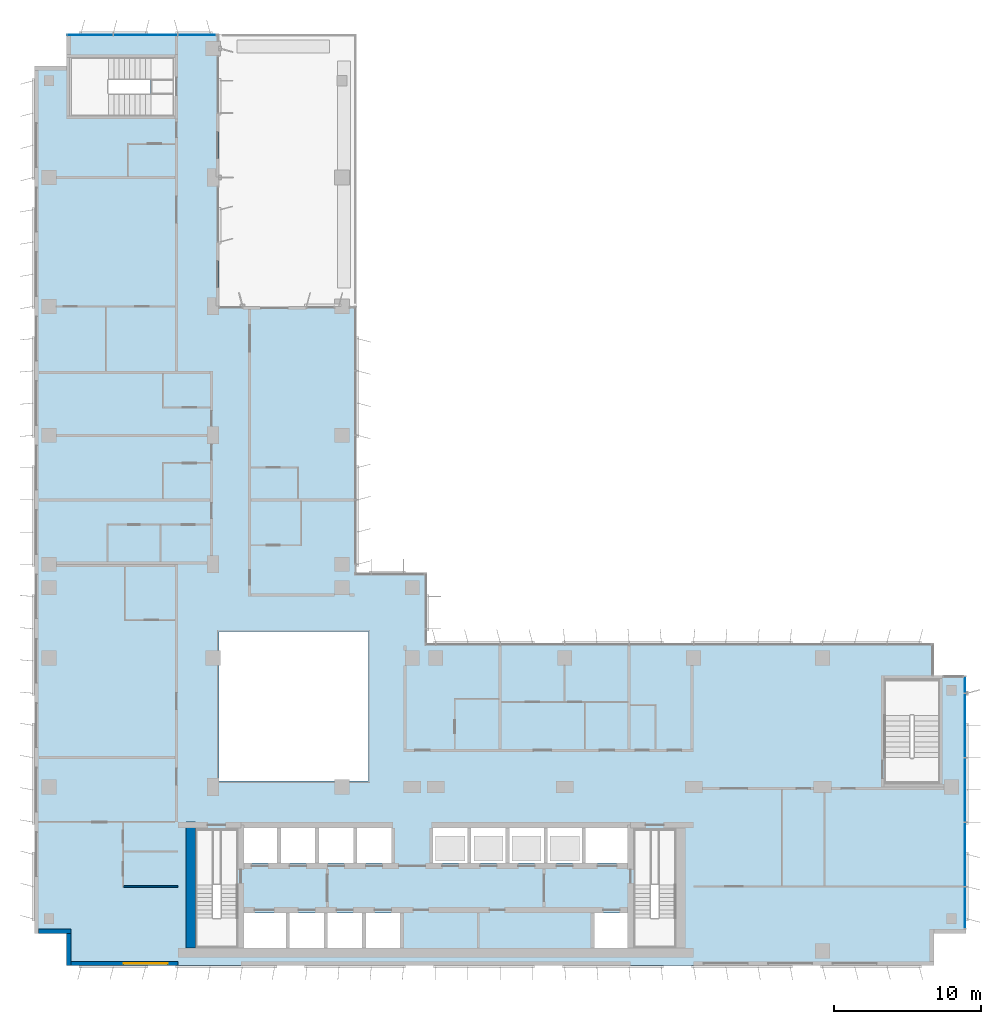
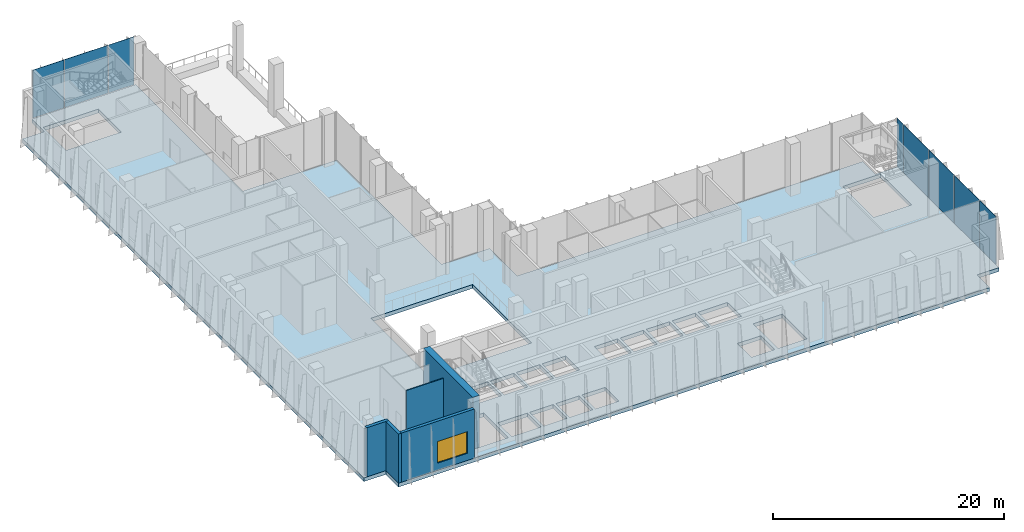
# One storey, part 12 of 24: 8 plates, 5 walls, 1 slab, 1 window, 1 opening, 2 elements without a shape of their own.
"""IFC4 building model written with IfcOpenShell, lengths in metres."""

import ifcopenshell
import ifcopenshell.guid

model = None  # the IFC model being written
_history = None  # IfcOwnerHistory: only IFC2X3 demands one
_inside = {}  # id of a spatial element -> (the spatial element, [elements in it])
_under = {}  # id of a project, library or spatial element -> (it, [spatial elements below it])
_declared = {}  # id of a project -> (the project, [libraries it declares])
_typed = {}  # id of a type object -> (the type object, [elements of that type])
_made_of = {}  # id of a material, layer set ... -> (it, [elements and type objects made of it])


def new_model(schema):
    """Start an empty IFC model of exactly this schema.

    Asked for "IFC4X3", IfcOpenShell would pick the latest addendum, in which some entities
    have other attributes; the version numbers below select the first issue.
    IFC2X3 requires an IfcOwnerHistory on every rooted entity: one is made here for all.
    """
    global model, _history
    if schema == "IFC4X3":
        model = ifcopenshell.file(schema_version=(4, 3, 0, 0))
    else:
        model = ifcopenshell.file(schema=schema)
    _inside.clear()
    _under.clear()
    _declared.clear()
    _typed.clear()
    _made_of.clear()
    _history = None
    if model.schema == "IFC2X3":
        org = make("IfcOrganization", Name="unknown")
        user = make(
            "IfcPersonAndOrganization",
            ThePerson=make("IfcPerson", FamilyName="unknown"),
            TheOrganization=org,
        )
        app = make(
            "IfcApplication",
            ApplicationDeveloper=org,
            Version="unknown",
            ApplicationFullName="unknown",
            ApplicationIdentifier="unknown",
        )
        _history = make(
            "IfcOwnerHistory",
            OwningUser=user,
            OwningApplication=app,
            ChangeAction="ADDED",
            CreationDate=0,
        )
    return model


def make(cls, **values):
    """One entity of the class cls with the attributes given. An attribute that is None is left unset."""
    return model.create_entity(
        cls, **{name: value for name, value in values.items() if value is not None}
    )


def rooted(cls, **values):
    """An entity with a GlobalId (a new one), such as an element, a storey or a relation."""
    return make(cls, GlobalId=ifcopenshell.guid.new(), OwnerHistory=_history, **values)


def si_unit(unit_type, name, prefix=None):
    """IfcSIUnit, for example si_unit("LENGTHUNIT", "METRE", prefix="MILLI")."""
    return make("IfcSIUnit", UnitType=unit_type, Prefix=prefix, Name=name)


def assignment(units):
    """IfcUnitAssignment: the units of a project."""
    return None if units is None else make("IfcUnitAssignment", Units=units)


def point(xyz):
    """IfcCartesianPoint."""
    return None if xyz is None else make("IfcCartesianPoint", Coordinates=xyz)


def direction(xyz):
    """IfcDirection."""
    return None if xyz is None else make("IfcDirection", DirectionRatios=xyz)


def frame(location, z_axis=None, x_axis=None):
    """IfcAxis2Placement3D, a coordinate frame: its origin and axes. An axis left out is left unset."""
    return make(
        "IfcAxis2Placement3D",
        Location=point(location),
        Axis=direction(z_axis),
        RefDirection=direction(x_axis),
    )


def frame_2d(location, x_axis=None):
    """IfcAxis2Placement2D, a coordinate frame in the plane: its origin and x axis."""
    return make(
        "IfcAxis2Placement2D", Location=point(location), RefDirection=direction(x_axis)
    )


def origin():
    """The frame at (0, 0, 0) with its axes left unset."""
    return frame((0.0, 0.0, 0.0))


def origin_2d():
    """The frame at (0, 0) in the plane with its x axis left unset."""
    return frame_2d((0.0, 0.0))


def place(relative_to, where):
    """IfcLocalPlacement: puts the frame where relative to a parent placement (None: the world)."""
    return make(
        "IfcLocalPlacement", PlacementRelTo=relative_to, RelativePlacement=where
    )


def context(
    kind, dimensions, precision=None, world=None, true_north=None, identifier=None
):
    """IfcGeometricRepresentationContext, for example the 3D "Model" context."""
    return make(
        "IfcGeometricRepresentationContext",
        ContextIdentifier=identifier,
        ContextType=kind,
        CoordinateSpaceDimension=dimensions,
        Precision=precision,
        WorldCoordinateSystem=world,
        TrueNorth=true_north,
    )


def subcontext(parent, identifier, kind, view, scale=None):
    """IfcGeometricRepresentationSubContext, for example "Body" below "Model"."""
    return make(
        "IfcGeometricRepresentationSubContext",
        ContextIdentifier=identifier,
        ContextType=kind,
        ParentContext=parent,
        TargetScale=scale,
        TargetView=view,
    )


def project(units=None, contexts=None):
    """IfcProject with its units and contexts."""
    return rooted(
        "IfcProject",
        Name="project",
        RepresentationContexts=contexts,
        UnitsInContext=assignment(units),
    )


def spatial(cls, under=None, at=None, **own):
    """A site, building, storey or space (cls), placed at a placement, below another one or the project."""
    s = rooted(cls, ObjectPlacement=at, **own)
    if under is not None:
        _under.setdefault(under.id(), (under, []))[1].append(s)
    return s


def polyline(points):
    """IfcPolyline through the points."""
    return make("IfcPolyline", Points=[point(p) for p in points])


def profile(cls, at=None, kind="AREA", **sizes):
    """A parametric profile (cls). Its sizes go by their IFC names, for example OverallWidth=200.0."""
    return make(cls, ProfileType=kind, Position=at, **sizes)


def rectangle(**sizes):
    """IfcRectangleProfileDef."""
    return profile("IfcRectangleProfileDef", **sizes)


def outline(outer, holes=None, kind="AREA"):
    """IfcArbitraryClosedProfileDef: a profile drawn as a closed curve; with holes, ...WithVoids."""
    if holes is None:
        return make("IfcArbitraryClosedProfileDef", ProfileType=kind, OuterCurve=outer)
    return make(
        "IfcArbitraryProfileDefWithVoids",
        ProfileType=kind,
        OuterCurve=outer,
        InnerCurves=holes,
    )


def extrude(swept, where, along, depth):
    """IfcExtrudedAreaSolid: the profile swept, set in the frame where, extruded along a direction by depth."""
    return make(
        "IfcExtrudedAreaSolid",
        SweptArea=swept,
        Position=where,
        ExtrudedDirection=direction(along),
        Depth=depth,
    )


def shape(context_of_items, identifier, shape_type, items):
    """IfcShapeRepresentation: the items that make up one representation, for example the "Body"."""
    return make(
        "IfcShapeRepresentation",
        ContextOfItems=context_of_items,
        RepresentationIdentifier=identifier,
        RepresentationType=shape_type,
        Items=items,
    )


def source(mapping_origin, context_of_items, identifier, shape_type, items):
    """IfcRepresentationMap: a shape defined once, which mapped items show again and again."""
    return make(
        "IfcRepresentationMap",
        MappingOrigin=mapping_origin,
        MappedRepresentation=shape(context_of_items, identifier, shape_type, items),
    )


def transform(
    local_origin,
    x_axis=None,
    y_axis=None,
    z_axis=None,
    scale=None,
    scale2=None,
    scale3=None,
    uniform=True,
):
    """IfcCartesianTransformationOperator3D, or its non-uniform kind. x_axis, y_axis, z_axis: its Axis1, 2, 3."""
    if uniform:
        return make(
            "IfcCartesianTransformationOperator3D",
            Axis1=direction(x_axis),
            Axis2=direction(y_axis),
            LocalOrigin=point(local_origin),
            Scale=scale,
            Axis3=direction(z_axis),
        )
    return make(
        "IfcCartesianTransformationOperator3DnonUniform",
        Axis1=direction(x_axis),
        Axis2=direction(y_axis),
        LocalOrigin=point(local_origin),
        Scale=scale,
        Axis3=direction(z_axis),
        Scale2=scale2,
        Scale3=scale3,
    )


def mapped(mapping_source, mapping_target):
    """IfcMappedItem: shows the shape of a source again, moved by a transform."""
    return make(
        "IfcMappedItem", MappingSource=mapping_source, MappingTarget=mapping_target
    )


def material(Name=None, Category=None):
    """IfcMaterial."""
    return make("IfcMaterial", Name=Name, Category=Category)


def layer(
    of_material, thickness, ventilated=None, Name=None, Category=None, Priority=None
):
    """IfcMaterialLayer: one layer of a wall or slab, of a material (None: an air gap)."""
    return make(
        "IfcMaterialLayer",
        Material=of_material,
        LayerThickness=thickness,
        IsVentilated=ventilated,
        Name=Name,
        Category=Category,
        Priority=Priority,
    )


def layer_set(layers, Name=None):
    """IfcMaterialLayerSet."""
    return make("IfcMaterialLayerSet", MaterialLayers=layers, LayerSetName=Name)


def made_of(thing, what):
    """Note that an element or type object is made of a material, layer set ...; save() writes the relation."""
    if what is not None:
        _made_of.setdefault(what.id(), (what, []))[1].append(thing)
    return thing


def type_object(cls, material=None, **own):
    """A type object (cls), such as IfcWallType, which elements share."""
    return made_of(rooted(cls, **own), material)


def element(
    cls,
    number,
    at=None,
    inside=None,
    cuts=None,
    type_object=None,
    material=None,
    context=None,
    identifier="Body",
    shape_type=None,
    held_by="IfcProductDefinitionShape",
    body=None,
    shapes=None,
    **own,
):
    """One element of the class cls, such as IfcWall. Its Tag is "e" and its number.

    at: its placement. inside: the storey or other place that contains it. cuts: it is an
    opening in that element (IfcRelVoidsElement). A single representation is given by context,
    identifier, shape_type and body (its items); several are given by shapes. held_by: the class
    of the entity that holds the representations. save() writes the other relations.
    """
    e = rooted(cls, Tag="e%d" % number, ObjectPlacement=at, **own)
    if body is not None:
        shapes = [shape(context, identifier, shape_type, body)]
    if shapes is not None:
        e.Representation = make(held_by, Representations=shapes)
    if inside is not None:
        _inside.setdefault(inside.id(), (inside, []))[1].append(e)
    if cuts is not None:
        rooted(
            "IfcRelVoidsElement", RelatingBuildingElement=cuts, RelatedOpeningElement=e
        )
    if type_object is not None:
        _typed.setdefault(type_object.id(), (type_object, []))[1].append(e)
    return made_of(e, material)


def fill(opening, filler):
    """IfcRelFillsElement: the door or window that sits in an opening."""
    return rooted(
        "IfcRelFillsElement",
        RelatingOpeningElement=opening,
        RelatedBuildingElement=filler,
    )


def aggregate(whole, parts):
    """IfcRelAggregates: a whole, such as a stair, and the parts it consists of."""
    return rooted("IfcRelAggregates", RelatingObject=whole, RelatedObjects=parts)


def save(model, path):
    """Write the relations noted so far, then the file.

    IfcRelAggregates (storeys below a building ...), IfcRelContainedInSpatialStructure (elements
    in a storey), IfcRelDefinesByType, IfcRelAssociatesMaterial and IfcRelDeclares: one each for
    every whole, place, type object, material and project.
    """
    for whole, parts in _under.values():
        aggregate(whole, parts)
    for where, things in _inside.values():
        rooted(
            "IfcRelContainedInSpatialStructure",
            RelatedElements=things,
            RelatingStructure=where,
        )
    for kind, things in _typed.values():
        rooted("IfcRelDefinesByType", RelatedObjects=things, RelatingType=kind)
    for what, things in _made_of.values():
        rooted("IfcRelAssociatesMaterial", RelatedObjects=things, RelatingMaterial=what)
    for by, libraries in _declared.values():
        rooted("IfcRelDeclares", RelatingContext=by, RelatedDefinitions=libraries)
    model.write(path)


model = new_model("IFC4")

# Units and contexts
model_context = context("Model", 3, precision=1e-05, world=origin(), true_north=direction((0.0, 1.0)))
body_context = subcontext(model_context, "Body", "Model", "MODEL_VIEW")
ifc_project = project(units=[si_unit("LENGTHUNIT", "METRE"), si_unit("AREAUNIT", "SQUARE_METRE"), si_unit("VOLUMEUNIT", "CUBIC_METRE"), si_unit("PLANEANGLEUNIT", "RADIAN"), si_unit("MASSUNIT", "GRAM", prefix="KILO")], contexts=[model_context])

# Site, building, storey
site_placement = place(None, origin())
site = spatial("IfcSite", under=ifc_project, at=site_placement, CompositionType="ELEMENT")
building_placement = place(site_placement, origin())
building = spatial("IfcBuilding", under=site, at=building_placement, Name="Kemantara Hotel Tower", CompositionType="ELEMENT")
storey_placement = place(building_placement, frame((0.0, 0.0, 202.5)))
storey = spatial("IfcBuildingStorey", under=building, at=storey_placement, Name="L50", CompositionType="ELEMENT", Elevation=202.5)

# Slab
ifc_material_1 = material(Name="Concrete fc 40 MPa", Category="concrete")
ifc_layer_1 = layer(ifc_material_1, 0.39990234375)
ifc_layer_set_1 = layer_set([ifc_layer_1], Name="Concrete fc 40 MPa")
slab_type = type_object("IfcSlabType", Name="REINFORCED DECK SLAB 400", PredefinedType="FLOOR", material=ifc_layer_set_1)
slab_placement = place(storey_placement, frame((0.0, 0.0, -0.39990234375)))
element("IfcSlab", 1, at=slab_placement, inside=storey, type_object=slab_type, Name="FLOOR SLAB L50", PredefinedType="FLOOR", context=body_context, shape_type="SweptSolid", body=[
    extrude(outline(polyline([(26.800048828125, 26.800048828125), (22.0, 26.800048828125), (22.0, 45.0), (12.60009765625, 45.0), (12.60009765625, 63.60009765625), (2.199951171875, 63.60009765625), (2.199951171875, 61.39990234375), (0.0, 61.39990234375), (0.0, 2.199951171875), (2.199951171875, 2.199951171875), (2.199951171875, 0.0), (61.39990234375, 0.0), (61.39990234375, 2.199951171875), (63.60009765625, 2.199951171875), (63.60009765625, 19.800048828125), (61.39990234375, 19.800048828125), (61.39990234375, 22.0), (26.800048828125, 22.0), (26.800048828125, 26.800048828125)]), holes=[polyline([(17.175048828125, 1.199951171875), (14.22509765625, 1.199951171875), (14.22509765625, 3.60009765625), (17.175048828125, 3.60009765625), (17.175048828125, 1.199951171875)]), polyline([(19.77490234375, 1.199951171875), (17.425048828125, 1.199951171875), (17.425048828125, 3.60009765625), (19.77490234375, 3.60009765625), (19.77490234375, 1.199951171875)]), polyline([(22.375, 1.199951171875), (20.02490234375, 1.199951171875), (20.02490234375, 3.60009765625), (22.375, 3.60009765625), (22.375, 1.199951171875)]), polyline([(11.0, 1.199951171875), (11.0, 5.49951171875), (13.89990234375, 5.49951171875), (13.89990234375, 1.199951171875), (11.0, 1.199951171875)]), polyline([(16.574951171875, 7.0), (14.22509765625, 7.0), (14.22509765625, 9.39990234375), (16.574951171875, 9.39990234375), (16.574951171875, 7.0)]), polyline([(19.175048828125, 7.0), (16.824951171875, 7.0), (16.824951171875, 9.39990234375), (19.175048828125, 9.39990234375), (19.175048828125, 7.0)]), polyline([(21.77490234375, 7.0), (19.425048828125, 7.0), (19.425048828125, 9.39990234375), (21.77490234375, 9.39990234375), (21.77490234375, 7.0)]), polyline([(22.02490234375, 7.0), (22.02490234375, 9.39990234375), (24.375, 9.39990234375), (24.375, 7.0), (22.02490234375, 7.0)]), polyline([(12.60009765625, 12.60009765625), (12.60009765625, 22.800048828125), (22.800048828125, 22.800048828125), (22.800048828125, 12.60009765625), (12.60009765625, 12.60009765625)]), polyline([(2.39990234375, 62.0), (7.949462890625, 62.0), (7.949462890625, 58.0), (2.39990234375, 58.0), (2.39990234375, 62.0)]), polyline([(24.97509765625, 1.199951171875), (22.625, 1.199951171875), (22.625, 3.60009765625), (24.97509765625, 3.60009765625), (24.97509765625, 1.199951171875)]), polyline([(40.574951171875, 1.199951171875), (38.22509765625, 1.199951171875), (38.22509765625, 3.60009765625), (40.574951171875, 3.60009765625), (40.574951171875, 1.199951171875)]), polyline([(40.89990234375, 5.49951171875), (43.800048828125, 5.49951171875), (43.800048828125, 1.199951171875), (40.89990234375, 1.199951171875), (40.89990234375, 5.49951171875)]), polyline([(27.22509765625, 7.0), (27.22509765625, 9.39990234375), (29.574951171875, 9.39990234375), (29.574951171875, 7.0), (27.22509765625, 7.0)]), polyline([(32.175048828125, 7.0), (29.824951171875, 7.0), (29.824951171875, 9.39990234375), (32.175048828125, 9.39990234375), (32.175048828125, 7.0)]), polyline([(34.77490234375, 7.0), (32.425048828125, 7.0), (32.425048828125, 9.39990234375), (34.77490234375, 9.39990234375), (34.77490234375, 7.0)]), polyline([(37.375, 7.0), (35.02490234375, 7.0), (35.02490234375, 9.39990234375), (37.375, 9.39990234375), (37.375, 7.0)]), polyline([(37.625, 7.0), (37.625, 9.39990234375), (40.574951171875, 9.39990234375), (40.574951171875, 7.0), (37.625, 7.0)]), polyline([(61.800048828125, 14.20068359375), (58.0, 14.20068359375), (58.0, 19.60009765625), (61.800048828125, 19.60009765625), (61.800048828125, 14.20068359375)])]), origin(), (0.0, 0.0, 1.0), 0.39990234375),
])

# Curtain wall, plate
ifc_material_2 = material(Name="Low-E tinted double insulated glass 36 mm", Category="glass")
curtain_wall_type = type_object("IfcCurtainWallType", Name="TOWER CURTAIN WALL, FRONT FACES", PredefinedType="USERDEFINED", material=ifc_material_2)
curtain_wall_1_placement = place(storey_placement, origin())
curtain_wall_1 = element("IfcCurtainWall", 2, at=curtain_wall_1_placement, inside=storey, type_object=curtain_wall_type, Name="CW4 L50 T3S-R03-1", ObjectType="TOWER CURTAIN WALL, FRONT FACES", PredefinedType="USERDEFINED")
ifc_layer_2 = layer(ifc_material_2, 0.035888671875)
ifc_layer_set_2 = layer_set([ifc_layer_2], Name="Low-E tinted double insulated glass 36 mm")
plate_type = type_object("IfcPlateType", Name="TOWER CURTAIN WALL, FRONT FACES PANEL", PredefinedType="CURTAIN_PANEL", material=ifc_layer_set_2)
shared_shape_1 = source(origin(), body_context, "Body", "SweptSolid", [
    extrude(rectangle(XDim=4.340087890625, YDim=0.035888671875, at=origin_2d()), origin(), (0.0, 0.0, 1.0), 5.080078125),
])
plate_1_placement = place(storey_placement, frame((7.60009765625, 63.52490234375, 0.119873046875), z_axis=(0.0, 0.0, 1.0), x_axis=(-1.0, 0.0, 0.0)))
plate_1 = element("IfcPlate", 3, at=plate_1_placement, type_object=plate_type, Name="CW4 glass panel T3S-R03-1.2", PredefinedType="CURTAIN_PANEL", context=body_context, shape_type="MappedRepresentation", body=[
    mapped(shared_shape_1, transform((0.0, 0.0, 0.0))),
])

# Curtain wall, plates
curtain_wall_2_placement = place(storey_placement, origin())
curtain_wall_2 = element("IfcCurtainWall", 4, at=curtain_wall_2_placement, inside=storey, type_object=curtain_wall_type, Name="CW4 L50 T3S-R12-1", ObjectType="TOWER CURTAIN WALL, FRONT FACES", PredefinedType="USERDEFINED")
plate_2_placement = place(storey_placement, frame((63.52490234375, 7.60009765625, 0.119873046875), z_axis=(0.0, 0.0, 1.0), x_axis=(0.0, 1.0, 0.0)))
plate_2 = element("IfcPlate", 5, at=plate_2_placement, type_object=plate_type, Name="CW4 glass panel T3S-R12-1.2", PredefinedType="CURTAIN_PANEL", context=body_context, shape_type="MappedRepresentation", body=[
    mapped(shared_shape_1, transform((0.0, 0.0, 0.0))),
])
plate_3_placement = place(storey_placement, frame((63.52490234375, 12.0, 0.119873046875), z_axis=(0.0, 0.0, 1.0), x_axis=(0.0, 1.0, 0.0)))
plate_3 = element("IfcPlate", 6, at=plate_3_placement, type_object=plate_type, Name="CW4 glass panel T3S-R12-1.3", PredefinedType="CURTAIN_PANEL", context=body_context, shape_type="MappedRepresentation", body=[
    mapped(shared_shape_1, transform((0.0, 0.0, 0.0))),
])
plate_4_placement = place(storey_placement, frame((63.52490234375, 16.39990234375, 0.119873046875), z_axis=(0.0, 0.0, 1.0), x_axis=(0.0, 1.0, 0.0)))
plate_4 = element("IfcPlate", 7, at=plate_4_placement, type_object=plate_type, Name="CW4 glass panel T3S-R12-1.4", PredefinedType="CURTAIN_PANEL", context=body_context, shape_type="MappedRepresentation", body=[
    mapped(shared_shape_1, transform((0.0, 0.0, 0.0))),
])

# Plate
shared_shape_2 = source(origin(), body_context, "Body", "SweptSolid", [
    extrude(rectangle(XDim=3.110107421875, YDim=0.035888671875, at=origin_2d()), origin(), (0.0, 0.0, 1.0), 5.080078125),
])
plate_5_placement = place(storey_placement, frame((3.81494140625, 63.52490234375, 0.119873046875), z_axis=(0.0, 0.0, 1.0), x_axis=(-1.0, 0.0, 0.0)))
plate_5 = element("IfcPlate", 8, at=plate_5_placement, type_object=plate_type, Name="CW4 glass panel T3S-R03-1.3", PredefinedType="CURTAIN_PANEL", context=body_context, shape_type="MappedRepresentation", body=[
    mapped(shared_shape_2, transform((0.0, 0.0, 0.0))),
])

shared_shape_3 = source(origin(), body_context, "Body", "SweptSolid", [
    extrude(rectangle(XDim=2.81005859375, YDim=0.035888671875, at=origin_2d()), origin(), (0.0, 0.0, 1.0), 5.080078125),
])
plate_6_placement = place(storey_placement, frame((63.52490234375, 3.965087890625, 0.119873046875), z_axis=(0.0, 0.0, 1.0), x_axis=(0.0, 1.0, 0.0)))
plate_6 = element("IfcPlate", 9, at=plate_6_placement, type_object=plate_type, Name="CW4 glass panel T3S-R12-1.1", PredefinedType="CURTAIN_PANEL", context=body_context, shape_type="MappedRepresentation", body=[
    mapped(shared_shape_3, transform((0.0, 0.0, 0.0))),
])

shared_shape_4 = source(origin(), body_context, "Body", "SweptSolid", [
    extrude(rectangle(XDim=1.110107421875, YDim=0.035888671875, at=origin_2d()), origin(), (0.0, 0.0, 1.0), 5.080078125),
])
plate_7_placement = place(storey_placement, frame((63.52490234375, 19.18505859375, 0.119873046875), z_axis=(0.0, 0.0, 1.0), x_axis=(0.0, 1.0, 0.0)))
plate_7 = element("IfcPlate", 10, at=plate_7_placement, type_object=plate_type, Name="CW4 glass panel T3S-R12-1.5", PredefinedType="CURTAIN_PANEL", context=body_context, shape_type="MappedRepresentation", body=[
    mapped(shared_shape_4, transform((0.0, 0.0, 0.0))),
])

aggregate(curtain_wall_2, [plate_6, plate_2, plate_3, plate_4, plate_7])

shared_shape_5 = source(origin(), body_context, "Body", "SweptSolid", [
    extrude(rectangle(XDim=2.56005859375, YDim=0.035888671875, at=origin_2d()), origin(), (0.0, 0.0, 1.0), 5.080078125),
])
plate_8_placement = place(storey_placement, frame((11.110107421875, 63.52490234375, 0.119873046875), z_axis=(0.0, 0.0, 1.0), x_axis=(-1.0, 0.0, 0.0)))
plate_8 = element("IfcPlate", 11, at=plate_8_placement, type_object=plate_type, Name="CW4 glass panel T3S-R03-1.1", PredefinedType="CURTAIN_PANEL", context=body_context, shape_type="MappedRepresentation", body=[
    mapped(shared_shape_5, transform((0.0, 0.0, 0.0))),
])

aggregate(curtain_wall_1, [plate_8, plate_1, plate_5])

# Walls
ifc_material_3 = material(Name="Bronze anodised aluminium cladding on insulated steel stud wall", Category="steel")
ifc_layer_3 = layer(ifc_material_3, 0.300048828125)
ifc_layer_set_3 = layer_set([ifc_layer_3], Name="Bronze anodised aluminium cladding on insulated steel stud wall")
wall_type_1 = type_object("IfcWallType", Name="BRONZE METAL-CLAD EXTERNAL WALL 300", PredefinedType="STANDARD", material=ifc_layer_set_3)
for number, where, z_axis, x_axis, name in (
    (12, (0.300048828125, 2.35009765625, 0.0), (0.0, 0.0, 1.0), (1.0, 0.0, 0.0), "EXTERNAL WALL L50 T3S-R07"),
    (13, (2.35009765625, 2.199951171875, 0.0), (0.0, 0.0, 1.0), (0.0, -1.0, 0.0), "EXTERNAL WALL L50 T3S-R08"),
):
    element("IfcWall", number, at=place(storey_placement, frame(where, z_axis=z_axis, x_axis=x_axis)), inside=storey, type_object=wall_type_1, Name=name, PredefinedType="STANDARD", context=body_context, shape_type="SweptSolid", body=[
        extrude(rectangle(XDim=2.199951171875, YDim=0.300048828125, at=frame_2d((1.10009765625, 0.0))), origin(), (0.0, 0.0, 1.0), 5.199951171875),
    ])

# Wall, opening, window
wall_1_placement = place(storey_placement, frame((2.5, 0.14990234375, 0.0), z_axis=(0.0, 0.0, 1.0), x_axis=(1.0, 0.0, 0.0)))
wall_1 = element("IfcWall", 14, at=wall_1_placement, inside=storey, type_object=wall_type_1, Name="EXTERNAL WALL L50 T3S-R09", PredefinedType="STANDARD", context=body_context, shape_type="SweptSolid", body=[
    extrude(rectangle(XDim=7.300048828125, YDim=0.300048828125, at=frame_2d((3.64990234375, 0.0))), origin(), (0.0, 0.0, 1.0), 5.199951171875),
])
opening_placement = place(wall_1_placement, frame((3.60009765625, 0.0, 0.75)))
opening = element("IfcOpeningElement", 15, at=opening_placement, cuts=wall_1, Name="Opening W1", PredefinedType="OPENING", context=body_context, shape_type="SweptSolid", body=[
    extrude(rectangle(XDim=3.0, YDim=2.300048828125, at=frame_2d((1.5, 1.14990234375))), frame((0.0, 0.159912109375, 0.0), z_axis=(0.0, -1.0, 0.0), x_axis=(1.0, 0.0, 0.0)), (0.0, 0.0, 1.0), 0.320068359375),
])
ifc_material_4 = material(Name="Low-E tinted double insulated glass in bronze anodised aluminium frame", Category="aluminium")
window_type = type_object("IfcWindowType", Name="CHICAGO WINDOW, TRIPLE PANEL 3000x2300", PartitioningType="TRIPLE_PANEL_VERTICAL", PredefinedType="WINDOW", material=ifc_material_4)
window_placement = place(opening_placement, origin())
window = element("IfcWindow", 16, at=window_placement, inside=storey, type_object=window_type, Name="CHICAGO WINDOW L50 T3S-R09-54", OverallHeight=2.300048828125, OverallWidth=3.0, PartitioningType="SINGLE_PANEL", PredefinedType="WINDOW", context=body_context, shape_type="SweptSolid", body=[
    extrude(rectangle(XDim=3.0, YDim=2.300048828125, at=frame_2d((1.5, 1.14990234375))), frame((0.0, 0.030029296875, 0.0), z_axis=(0.0, -1.0, 0.0), x_axis=(1.0, 0.0, 0.0)), (0.0, 0.0, 1.0), 0.06005859375),
])
fill(opening, window)

# Walls
ifc_material_5 = material(Name="Concrete fc 60 MPa", Category="concrete")
ifc_layer_4 = layer(ifc_material_5, 0.64990234375)
ifc_layer_set_4 = layer_set([ifc_layer_4], Name="Concrete fc 60 MPa")
wall_type_2 = type_object("IfcWallType", Name="CORE WALL 650 FC60", PredefinedType="SHEAR", material=ifc_layer_set_4)
wall_2_placement = place(storey_placement, frame((10.675048828125, 1.199951171875, 0.0), z_axis=(0.0, 0.0, 1.0), x_axis=(0.0, 1.0, 0.0)))
element("IfcWall", 17, at=wall_2_placement, inside=storey, type_object=wall_type_2, Name="CORE WALL CW-W", PredefinedType="SHEAR", context=body_context, shape_type="SweptSolid", body=[
    extrude(rectangle(XDim=8.60009765625, YDim=0.64990234375, at=frame_2d((4.300048828125, 0.0))), origin(), (0.0, 0.0, 1.0), 5.5),
])
ifc_material_6 = material(Name="Gypsum board partition on steel studs, 100 mm", Category="steel")
ifc_layer_5 = layer(ifc_material_6, 0.10009765625)
ifc_layer_set_5 = layer_set([ifc_layer_5], Name="Gypsum board partition on steel studs, 100 mm")
wall_type_3 = type_object("IfcWallType", Name="ROOM PARTITION 100", PredefinedType="PARTITIONING", material=ifc_layer_set_5)
wall_3_placement = place(storey_placement, frame((6.10009765625, 5.39990234375, 0.0), z_axis=(0.0, 0.0, 1.0), x_axis=(1.0, 0.0, 0.0)))
element("IfcWall", 18, at=wall_3_placement, inside=storey, type_object=wall_type_3, Name="ROOM PARTITION 100 025", PredefinedType="PARTITIONING", context=body_context, shape_type="SweptSolid", body=[
    extrude(rectangle(XDim=3.69970703125, YDim=0.10009765625, at=frame_2d((1.849853515625, 0.0))), origin(), (0.0, 0.0, 1.0), 5.199951171875),
])

save(model, "model.ifc")
